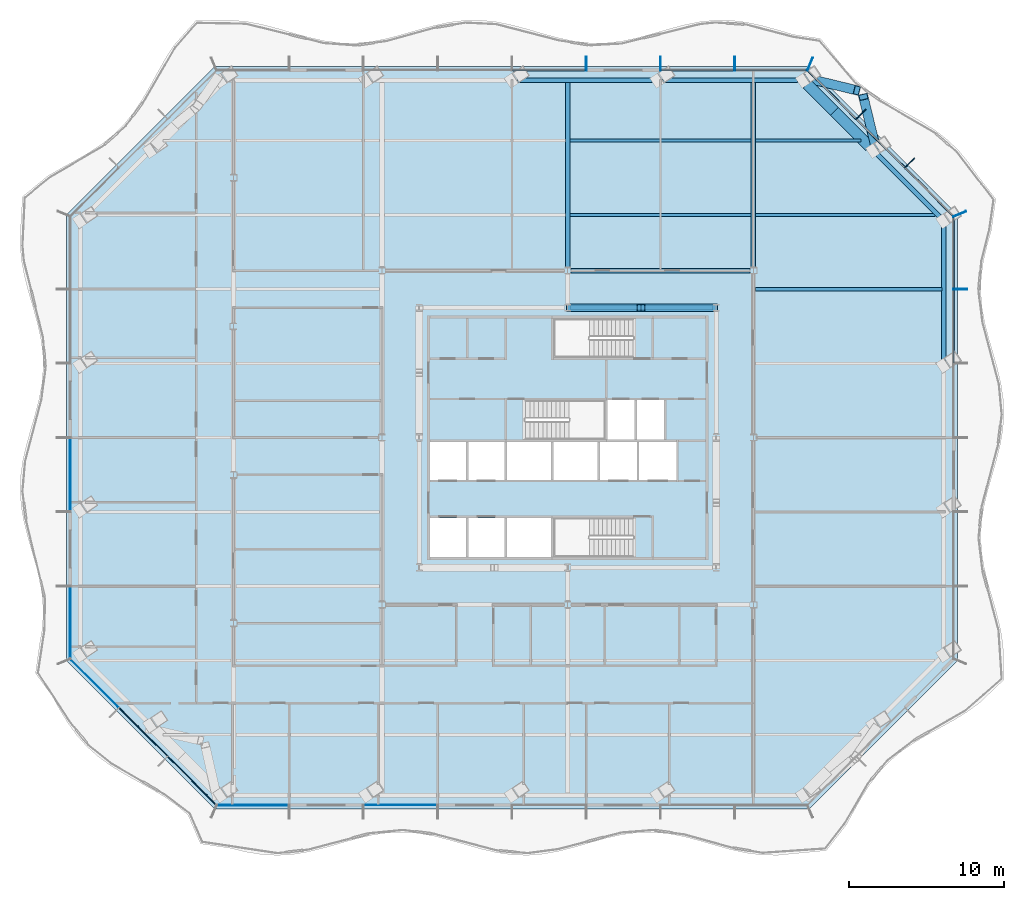
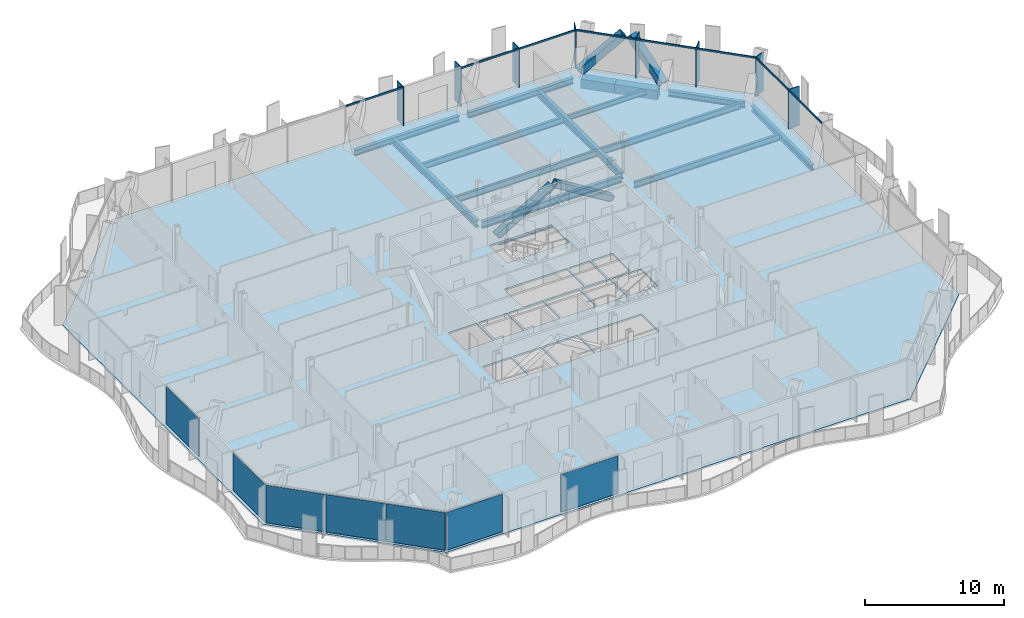
# One storey, part 4 of 20: 20 members, 15 beams, 7 plates, 1 slab, 6 elements without a shape of their own.
"""IFC4 building model written with IfcOpenShell, lengths in metres."""

from ifc_helpers import new_model, si_unit, direction, frame, origin, origin_2d, place, context, subcontext, project, spatial, polyline, rectangle, hollow_rectangle, i_section, outline, extrude, material, layer, layer_set, material_profile, profile_set, type_object, element, aggregate, save


model = new_model("IFC4")

# Units and contexts
model_context = context("Model", 3, precision=1e-05, world=origin(), true_north=direction((0.0, 1.0)))
body_context = subcontext(model_context, "Body", "Model", "MODEL_VIEW")
ifc_project = project(units=[si_unit("LENGTHUNIT", "METRE"), si_unit("AREAUNIT", "SQUARE_METRE"), si_unit("VOLUMEUNIT", "CUBIC_METRE"), si_unit("PLANEANGLEUNIT", "RADIAN"), si_unit("MASSUNIT", "GRAM", prefix="KILO")], contexts=[model_context])

# Site, building, storey
site_placement = place(None, origin())
site = spatial("IfcSite", under=ifc_project, at=site_placement, CompositionType="ELEMENT")
building_placement = place(site_placement, origin())
building = spatial("IfcBuilding", under=site, at=building_placement, Name="Cairn Pilgrim Tower", CompositionType="ELEMENT")
storey_placement = place(building_placement, frame((0.0, 0.0, 101.39990234375)))
storey = spatial("IfcBuildingStorey", under=building, at=storey_placement, Name="L24", CompositionType="ELEMENT", Elevation=101.39990234375)

# Members
ifc_material_1 = material(Name="Structural steel S460M", Category="steel")
ifc_material_profile_1 = material_profile(ifc_material_1, hollow_rectangle(XDim=0.5, YDim=0.5, WallThickness=0.030029296875, at=origin_2d()), Name="BOX 500x500x30")
ifc_profile_set_1 = profile_set([ifc_material_profile_1], Name="Structural steel S460M")
member_type_1 = type_object("IfcMemberType", Name="BOX 500x500x30 BRACE", PredefinedType="BRACE", material=ifc_profile_set_1)
member_1_placement = place(storey_placement, frame((16.75634765625, 10.800048828125, 0.10009765625), z_axis=(-0.851002408489, 0.0, 0.525161785305), x_axis=(0.0, -1.0, 0.0)))
element("IfcMember", 1, at=member_1_placement, inside=storey, type_object=member_type_1, Name="KB-3A", PredefinedType="BRACE", context=body_context, shape_type="SweptSolid", body=[
    extrude(hollow_rectangle(XDim=0.5, YDim=0.5, WallThickness=0.030029296875, at=origin_2d()), origin(), (0.0, 0.0, 1.0), 5.526611328125),
])
member_2_placement = place(storey_placement, frame((7.24365234375, 10.800048828125, 0.10009765625), z_axis=(0.851007515624, 0.0, 0.525153509321), x_axis=(0.0, 1.0, 0.0)))
element("IfcMember", 2, at=member_2_placement, inside=storey, type_object=member_type_1, Name="KB-3B", PredefinedType="BRACE", context=body_context, shape_type="SweptSolid", body=[
    extrude(hollow_rectangle(XDim=0.5, YDim=0.5, WallThickness=0.030029296875, at=origin_2d()), origin(), (0.0, 0.0, 1.0), 5.37646484375),
])
ifc_material_profile_2 = material_profile(ifc_material_1, hollow_rectangle(XDim=0.60009765625, YDim=0.60009765625, WallThickness=0.034912109375, at=origin_2d()), Name="BOX 600x600x35")
ifc_profile_set_2 = profile_set([ifc_material_profile_2], Name="Structural steel S460M")
member_type_2 = type_object("IfcMemberType", Name="BOX 600x600x35 BRACE", PredefinedType="BRACE", material=ifc_profile_set_2)
for number, where, z_axis, x_axis, name in (
    (3, (27.094482421875, 21.20751953125, 0.150146484375), (-0.185678533786, 0.765655336533, 0.6158696191), (-0.971831177419, -0.235678091042, 0.0), "XB-NE2-N1-1"),
    (4, (22.671142578125, 25.630859375, 0.150146484375), (0.765655336533, -0.185678533786, 0.6158696191), (0.235678091042, 0.971831177419, 0.0), "XB-NE2-N1-2"),
):
    element("IfcMember", number, at=place(storey_placement, frame(where, z_axis=z_axis, x_axis=x_axis)), inside=storey, type_object=member_type_2, Name=name, PredefinedType="BRACE", context=body_context, shape_type="SweptSolid", body=[
        extrude(hollow_rectangle(XDim=0.60009765625, YDim=0.60009765625, WallThickness=0.034912109375, at=origin_2d()), origin(), (0.0, 0.0, 1.0), 4.20361328125),
    ])

# Beams
ifc_material_2 = material(Name="Structural steel S355J2", Category="steel")
ifc_material_profile_3 = material_profile(ifc_material_2, hollow_rectangle(XDim=0.699951171875, YDim=0.800048828125, WallThickness=0.0400390625, at=origin_2d()), Name="BOX 700x800x40")
ifc_profile_set_3 = profile_set([ifc_material_profile_3], Name="Structural steel S355J2")
beam_type_1 = type_object("IfcBeamType", Name="BOX 700x800x40 RING GIRDER", PredefinedType="SPANDREL", material=ifc_profile_set_3)
beam_1_placement = place(storey_placement, frame((26.708984375, 21.21826171875, -0.5498046875), z_axis=(-0.707106781187, 0.707106781187, 0.0), x_axis=(-0.707106781187, -0.707106781187, 0.0)))
element("IfcBeam", 5, at=beam_1_placement, inside=storey, type_object=beam_type_1, Name="RG1-NE2-N1-1", PredefinedType="SPANDREL", context=body_context, shape_type="SweptSolid", body=[
    extrude(hollow_rectangle(XDim=0.699951171875, YDim=0.800048828125, WallThickness=0.0400390625, at=origin_2d()), origin(), (0.0, 0.0, 1.0), 3.2041015625),
])
beam_2_placement = place(storey_placement, frame((24.443359375, 23.48388671875, -0.5498046875), z_axis=(-0.707106781187, 0.707106781187, 0.0), x_axis=(-0.707106781187, -0.707106781187, 0.0)))
element("IfcBeam", 6, at=beam_2_placement, inside=storey, type_object=beam_type_1, Name="RG1-NE2-N1-2", PredefinedType="SPANDREL", context=body_context, shape_type="SweptSolid", body=[
    extrude(hollow_rectangle(XDim=0.699951171875, YDim=0.800048828125, WallThickness=0.0400390625, at=origin_2d()), origin(), (0.0, 0.0, 1.0), 2.4912109375),
])

# Curtain wall, member
ifc_material_3 = material(Name="Aluminium alloy 6063-T6 bronze anodised with Bronze tinted laminated low-E glass 8+16+8.8", Category="aluminium")
curtain_wall_type_1 = type_object("IfcCurtainWallType", Name="TOWER STICK CURTAIN WALL EW", PredefinedType="NOTDEFINED", material=ifc_material_3)
curtain_wall_1_placement = place(storey_placement, origin())
curtain_wall_1 = element("IfcCurtainWall", 7, at=curtain_wall_1_placement, inside=storey, type_object=curtain_wall_type_1, Name="Tower Stick Curtain Wall Ew E", PredefinedType="NOTDEFINED")
ifc_material_4 = material(Name="Aluminium alloy 6063-T6 bronze anodised", Category="aluminium")
ifc_material_profile_4 = material_profile(ifc_material_4, rectangle(XDim=0.89990234375, YDim=0.06005859375, at=origin_2d()), Name="FIN MULLION 60x900 BRONZE")
ifc_profile_set_4 = profile_set([ifc_material_profile_4], Name="Aluminium alloy 6063-T6 bronze anodised")
member_type_3 = type_object("IfcMemberType", Name="FIN MULLION 60x900 BRONZE", PredefinedType="MULLION", material=ifc_profile_set_4)
member_3_placement = place(storey_placement, frame((32.570068359375, 12.0, 0.0), z_axis=(0.0, 0.0, 1.0), x_axis=(1.0, 0.0, 0.0)))
member_3 = element("IfcMember", 8, at=member_3_placement, type_object=member_type_3, Name="Fin mullion E6", PredefinedType="MULLION", context=body_context, shape_type="SweptSolid", body=[
    extrude(rectangle(XDim=0.89990234375, YDim=0.06005859375, at=origin_2d()), origin(), (0.0, 0.0, 1.0), 3.4501953125),
])

# Curtain wall, members
curtain_wall_type_2 = type_object("IfcCurtainWallType", Name="CHAMFER CORNER CURTAIN WALL", PredefinedType="NOTDEFINED", material=ifc_material_3)
curtain_wall_2_placement = place(storey_placement, origin())
curtain_wall_2 = element("IfcCurtainWall", 9, at=curtain_wall_2_placement, inside=storey, type_object=curtain_wall_type_2, Name="Chamfer Corner Curtain Wall NE", PredefinedType="NOTDEFINED")
member_4_placement = place(storey_placement, frame((32.5380859375, 16.857177734375, 0.0), z_axis=(0.0, 0.0, 1.0), x_axis=(0.923879532511, 0.382683432365, 0.0)))
member_4 = element("IfcMember", 10, at=member_4_placement, type_object=member_type_3, Name="Fin mullion NE1", PredefinedType="MULLION", context=body_context, shape_type="SweptSolid", body=[
    extrude(rectangle(XDim=0.89990234375, YDim=0.06005859375, at=origin_2d()), origin(), (0.0, 0.0, 1.0), 3.4501953125),
])
member_5_placement = place(storey_placement, frame((29.2958984375, 20.14453125, 0.0), z_axis=(0.0, 0.0, 1.0), x_axis=(0.707106781187, 0.707106781187, 0.0)))
member_5 = element("IfcMember", 11, at=member_5_placement, type_object=member_type_3, Name="Fin mullion NE2", PredefinedType="MULLION", context=body_context, shape_type="SweptSolid", body=[
    extrude(rectangle(XDim=0.89990234375, YDim=0.06005859375, at=origin_2d()), origin(), (0.0, 0.0, 1.0), 3.4501953125),
])
member_6_placement = place(storey_placement, frame((26.14453125, 23.2958984375, 0.0), z_axis=(0.0, 0.0, 1.0), x_axis=(0.707106781187, 0.707106781187, 0.0)))
member_6 = element("IfcMember", 12, at=member_6_placement, type_object=member_type_3, Name="Fin mullion NE3", PredefinedType="MULLION", context=body_context, shape_type="SweptSolid", body=[
    extrude(rectangle(XDim=0.89990234375, YDim=0.06005859375, at=origin_2d()), origin(), (0.0, 0.0, 1.0), 3.4501953125),
])

curtain_wall_type_3 = type_object("IfcCurtainWallType", Name="TOWER STICK CURTAIN WALL NS", PredefinedType="NOTDEFINED", material=ifc_material_3)
curtain_wall_3_placement = place(storey_placement, origin())
curtain_wall_3 = element("IfcCurtainWall", 13, at=curtain_wall_3_placement, inside=storey, type_object=curtain_wall_type_3, Name="Tower Stick Curtain Wall Ns N", PredefinedType="NOTDEFINED")
member_7_placement = place(storey_placement, frame((22.857177734375, 26.5380859375, 0.0), z_axis=(0.0, 0.0, 1.0), x_axis=(0.382683432365, 0.923879532511, 0.0)))
member_7 = element("IfcMember", 14, at=member_7_placement, type_object=member_type_3, Name="Fin mullion N1", PredefinedType="MULLION", context=body_context, shape_type="SweptSolid", body=[
    extrude(rectangle(XDim=0.89990234375, YDim=0.06005859375, at=origin_2d()), origin(), (0.0, 0.0, 1.0), 3.4501953125),
])
member_8_placement = place(storey_placement, frame((18.0, 26.570068359375, 0.0), z_axis=(0.0, 0.0, 1.0), x_axis=(0.0, 1.0, 0.0)))
member_8 = element("IfcMember", 15, at=member_8_placement, type_object=member_type_3, Name="Fin mullion N2", PredefinedType="MULLION", context=body_context, shape_type="SweptSolid", body=[
    extrude(rectangle(XDim=0.89990234375, YDim=0.06005859375, at=origin_2d()), origin(), (0.0, 0.0, 1.0), 3.4501953125),
])
member_9_placement = place(storey_placement, frame((13.199951171875, 26.570068359375, 0.0), z_axis=(0.0, 0.0, 1.0), x_axis=(0.0, 1.0, 0.0)))
member_9 = element("IfcMember", 16, at=member_9_placement, type_object=member_type_3, Name="Fin mullion N3", PredefinedType="MULLION", context=body_context, shape_type="SweptSolid", body=[
    extrude(rectangle(XDim=0.89990234375, YDim=0.06005859375, at=origin_2d()), origin(), (0.0, 0.0, 1.0), 3.4501953125),
])
member_10_placement = place(storey_placement, frame((8.39990234375, 26.570068359375, 0.0), z_axis=(0.0, 0.0, 1.0), x_axis=(0.0, 1.0, 0.0)))
member_10 = element("IfcMember", 17, at=member_10_placement, type_object=member_type_3, Name="Fin mullion N4", PredefinedType="MULLION", context=body_context, shape_type="SweptSolid", body=[
    extrude(rectangle(XDim=0.89990234375, YDim=0.06005859375, at=origin_2d()), origin(), (0.0, 0.0, 1.0), 3.4501953125),
])

# Beams
ifc_material_profile_5 = material_profile(ifc_material_2, i_section(OverallWidth=0.300048828125, OverallDepth=0.5, WebThickness=0.014404296875, FlangeThickness=0.028076171875, FilletRadius=0.027099609375, at=origin_2d()), Name="HEB 500")
ifc_profile_set_5 = profile_set([ifc_material_profile_5], Name="Structural steel S355J2")
beam_type_2 = type_object("IfcBeamType", Name="HEB 500 RING GIRDER", PredefinedType="SPANDREL", material=ifc_profile_set_5)
beam_3_placement = place(storey_placement, frame((31.5, 7.435791015625, -0.39990234375), z_axis=(0.0, 1.0, 0.0), x_axis=(-1.0, 0.0, 0.0)))
element("IfcBeam", 18, at=beam_3_placement, inside=storey, type_object=beam_type_2, Name="RG1-E3-NE1", PredefinedType="SPANDREL", context=body_context, shape_type="SweptSolid", body=[
    extrude(i_section(OverallWidth=0.300048828125, OverallDepth=0.5, WebThickness=0.014404296875, FlangeThickness=0.028076171875, FilletRadius=0.027099609375, at=origin_2d()), origin(), (0.0, 0.0, 1.0), 8.63134765625),
])
beam_4_placement = place(storey_placement, frame((31.245361328125, 16.681884765625, -0.39990234375), z_axis=(-0.707106781187, 0.707106781187, 0.0), x_axis=(-0.707106781187, -0.707106781187, 0.0)))
element("IfcBeam", 19, at=beam_4_placement, inside=storey, type_object=beam_type_2, Name="RG1-NE1-NE2", PredefinedType="SPANDREL", context=body_context, shape_type="SweptSolid", body=[
    extrude(i_section(OverallWidth=0.300048828125, OverallDepth=0.5, WebThickness=0.014404296875, FlangeThickness=0.028076171875, FilletRadius=0.027099609375, at=origin_2d()), origin(), (0.0, 0.0, 1.0), 5.695068359375),
])
for number, where, z_axis, x_axis, name in (
    (20, (22.067138671875, 25.5, -0.39990234375), (-1.0, 0.0, 0.0), (0.0, -1.0, 0.0), "RG1-N1-N2"),
    (21, (12.653564453125, 25.5, -0.39990234375), (-1.0, 0.0, 0.0), (0.0, -1.0, 0.0), "RG1-N2-N3"),
):
    element("IfcBeam", number, at=place(storey_placement, frame(where, z_axis=z_axis, x_axis=x_axis)), inside=storey, type_object=beam_type_2, Name=name, PredefinedType="SPANDREL", context=body_context, shape_type="SweptSolid", body=[
        extrude(i_section(OverallWidth=0.300048828125, OverallDepth=0.5, WebThickness=0.014404296875, FlangeThickness=0.028076171875, FilletRadius=0.027099609375, at=origin_2d()), origin(), (0.0, 0.0, 1.0), 8.693603515625),
    ])
ifc_material_profile_6 = material_profile(ifc_material_2, i_section(OverallWidth=0.300048828125, OverallDepth=0.60009765625, WebThickness=0.015380859375, FlangeThickness=0.030029296875, FilletRadius=0.027099609375, at=origin_2d()), Name="HEB 600")
ifc_profile_set_6 = profile_set([ifc_material_profile_6], Name="Structural steel S355J2")
beam_type_3 = type_object("IfcBeamType", Name="HEB 600 CORE BEAM", PredefinedType="BEAM", material=ifc_profile_set_6)
beam_5_placement = place(storey_placement, frame((16.603271484375, 10.800048828125, -0.449951171875), z_axis=(-1.0, 0.0, 0.0), x_axis=(0.0, -1.0, 0.0)))
element("IfcBeam", 22, at=beam_5_placement, inside=storey, type_object=beam_type_3, Name="CB-5", PredefinedType="BEAM", context=body_context, shape_type="SweptSolid", body=[
    extrude(i_section(OverallWidth=0.300048828125, OverallDepth=0.60009765625, WebThickness=0.015380859375, FlangeThickness=0.030029296875, FilletRadius=0.027099609375, at=origin_2d()), origin(), (0.0, 0.0, 1.0), 9.20654296875),
])
ifc_material_profile_7 = material_profile(ifc_material_2, i_section(OverallWidth=0.300048828125, OverallDepth=0.60009765625, WebThickness=0.015380859375, FlangeThickness=0.030029296875, FilletRadius=0.027099609375, at=origin_2d()), Name="HEB 600")
ifc_profile_set_7 = profile_set([ifc_material_profile_7], Name="Structural steel S355J2")
beam_type_4 = type_object("IfcBeamType", Name="HEB 600 GIRDER", PredefinedType="BEAM", material=ifc_profile_set_7)
for number, where, z_axis, x_axis, name in (
    (23, (7.199951171875, 13.404541015625, -0.449951171875), (0.0, 1.0, 0.0), (-1.0, 0.0, 0.0), "PG3-2"),
    (24, (19.199951171875, 13.404541015625, -0.449951171875), (0.0, 1.0, 0.0), (-1.0, 0.0, 0.0), "PG4-4"),
):
    element("IfcBeam", number, at=place(storey_placement, frame(where, z_axis=z_axis, x_axis=x_axis)), inside=storey, type_object=beam_type_4, Name=name, PredefinedType="BEAM", context=body_context, shape_type="SweptSolid", body=[
        extrude(i_section(OverallWidth=0.300048828125, OverallDepth=0.60009765625, WebThickness=0.015380859375, FlangeThickness=0.030029296875, FilletRadius=0.027099609375, at=origin_2d()), origin(), (0.0, 0.0, 1.0), 11.975341796875),
    ])
ifc_material_profile_8 = material_profile(ifc_material_2, i_section(OverallWidth=0.300048828125, OverallDepth=0.60009765625, WebThickness=0.015380859375, FlangeThickness=0.030029296875, FilletRadius=0.027099609375, at=origin_2d()), Name="HEB 600")
ifc_profile_set_8 = profile_set([ifc_material_profile_8], Name="Structural steel S355J2")
beam_type_5 = type_object("IfcBeamType", Name="HEB 600 INNER GIRDER", PredefinedType="BEAM", material=ifc_profile_set_8)
beam_6_placement = place(storey_placement, frame((7.404541015625, 13.199951171875, -0.449951171875), z_axis=(1.0, 0.0, 0.0), x_axis=(0.0, 1.0, 0.0)))
element("IfcBeam", 25, at=beam_6_placement, inside=storey, type_object=beam_type_5, Name="IG2-2", PredefinedType="BEAM", context=body_context, shape_type="SweptSolid", body=[
    extrude(i_section(OverallWidth=0.300048828125, OverallDepth=0.60009765625, WebThickness=0.015380859375, FlangeThickness=0.030029296875, FilletRadius=0.027099609375, at=origin_2d()), origin(), (0.0, 0.0, 1.0), 11.591064453125),
])
ifc_material_profile_9 = material_profile(ifc_material_2, i_section(OverallWidth=0.18994140625, OverallDepth=0.449951171875, WebThickness=0.009521484375, FlangeThickness=0.0146484375, FilletRadius=0.02099609375, at=origin_2d()), Name="IPE 450")
ifc_profile_set_9 = profile_set([ifc_material_profile_9], Name="Structural steel S355J2")
beam_type_6 = type_object("IfcBeamType", Name="IPE 450 SECONDARY BEAM", PredefinedType="JOIST", material=ifc_profile_set_9)
beam_7_placement = place(storey_placement, frame((19.35009765625, 21.60009765625, -0.375), z_axis=(1.0, 0.0, 0.0), x_axis=(0.0, 1.0, 0.0)))
element("IfcBeam", 26, at=beam_7_placement, inside=storey, type_object=beam_type_6, Name="SB9-5", PredefinedType="JOIST", context=body_context, shape_type="SweptSolid", body=[
    extrude(i_section(OverallWidth=0.18994140625, OverallDepth=0.449951171875, WebThickness=0.009521484375, FlangeThickness=0.0146484375, FilletRadius=0.02099609375, at=origin_2d()), origin(), (0.0, 0.0, 1.0), 6.794921875),
])
ifc_material_profile_10 = material_profile(ifc_material_2, i_section(OverallWidth=0.2099609375, OverallDepth=0.550048828125, WebThickness=0.010986328125, FlangeThickness=0.01708984375, FilletRadius=0.02392578125, at=origin_2d()), Name="IPE 550")
ifc_profile_set_10 = profile_set([ifc_material_profile_10], Name="Structural steel S355J2")
beam_type_7 = type_object("IfcBeamType", Name="IPE 550 SECONDARY BEAM", PredefinedType="JOIST", material=ifc_profile_set_10)
beam_8_placement = place(storey_placement, frame((19.35009765625, 12.0, -0.4248046875), z_axis=(1.0, 0.0, 0.0), x_axis=(0.0, 1.0, 0.0)))
element("IfcBeam", 27, at=beam_8_placement, inside=storey, type_object=beam_type_7, Name="SB7-3", PredefinedType="JOIST", context=body_context, shape_type="SweptSolid", body=[
    extrude(i_section(OverallWidth=0.2099609375, OverallDepth=0.550048828125, WebThickness=0.010986328125, FlangeThickness=0.01708984375, FilletRadius=0.02392578125, at=origin_2d()), origin(), (0.0, 0.0, 1.0), 12.02978515625),
])
beam_9_placement = place(storey_placement, frame((7.35009765625, 16.800048828125, -0.4248046875), z_axis=(1.0, 0.0, 0.0), x_axis=(0.0, 1.0, 0.0)))
element("IfcBeam", 28, at=beam_9_placement, inside=storey, type_object=beam_type_7, Name="SB8-4", PredefinedType="JOIST", context=body_context, shape_type="SweptSolid", body=[
    extrude(i_section(OverallWidth=0.2099609375, OverallDepth=0.550048828125, WebThickness=0.010986328125, FlangeThickness=0.01708984375, FilletRadius=0.02392578125, at=origin_2d()), origin(), (0.0, 0.0, 1.0), 11.699951171875),
])
beam_10_placement = place(storey_placement, frame((19.35009765625, 16.800048828125, -0.4248046875), z_axis=(1.0, 0.0, 0.0), x_axis=(0.0, 1.0, 0.0)))
element("IfcBeam", 29, at=beam_10_placement, inside=storey, type_object=beam_type_7, Name="SB8-5", PredefinedType="JOIST", context=body_context, shape_type="SweptSolid", body=[
    extrude(i_section(OverallWidth=0.2099609375, OverallDepth=0.550048828125, WebThickness=0.010986328125, FlangeThickness=0.01708984375, FilletRadius=0.02392578125, at=origin_2d()), origin(), (0.0, 0.0, 1.0), 11.594970703125),
])
beam_11_placement = place(storey_placement, frame((7.35009765625, 21.60009765625, -0.4248046875), z_axis=(1.0, 0.0, 0.0), x_axis=(0.0, 1.0, 0.0)))
element("IfcBeam", 30, at=beam_11_placement, inside=storey, type_object=beam_type_7, Name="SB9-4", PredefinedType="JOIST", context=body_context, shape_type="SweptSolid", body=[
    extrude(i_section(OverallWidth=0.2099609375, OverallDepth=0.550048828125, WebThickness=0.010986328125, FlangeThickness=0.01708984375, FilletRadius=0.02392578125, at=origin_2d()), origin(), (0.0, 0.0, 1.0), 11.699951171875),
])

# Member
ifc_material_profile_11 = material_profile(ifc_material_4, rectangle(XDim=0.080078125, YDim=0.14990234375, at=origin_2d()), Name="TRANSOM 80x150 BRONZE")
ifc_profile_set_11 = profile_set([ifc_material_profile_11], Name="Aluminium alloy 6063-T6 bronze anodised")
member_type_4 = type_object("IfcMemberType", Name="TRANSOM 80x150 BRONZE", PredefinedType="USERDEFINED", material=ifc_profile_set_11)
member_11_placement = place(storey_placement, frame((32.14990234375, 7.22998046875, 3.375), z_axis=(0.0, 1.0, 0.0), x_axis=(-1.0, 0.0, 0.0)))
member_11 = element("IfcMember", 31, at=member_11_placement, type_object=member_type_4, Name="Transom E5", ObjectType="TRANSOM", PredefinedType="USERDEFINED", context=body_context, shape_type="SweptSolid", body=[
    extrude(rectangle(XDim=0.080078125, YDim=0.14990234375, at=origin_2d()), origin(), (0.0, 0.0, 1.0), 4.739990234375),
])

member_12_placement = place(storey_placement, frame((32.14990234375, 12.030029296875, 3.375), z_axis=(0.0, 1.0, 0.0), x_axis=(-1.0, 0.0, 0.0)))
member_12 = element("IfcMember", 32, at=member_12_placement, type_object=member_type_4, Name="Transom E6", ObjectType="TRANSOM", PredefinedType="USERDEFINED", context=body_context, shape_type="SweptSolid", body=[
    extrude(rectangle(XDim=0.080078125, YDim=0.14990234375, at=origin_2d()), origin(), (0.0, 0.0, 1.0), 4.62646484375),
])

aggregate(curtain_wall_1, [member_3, member_11, member_12])

member_13_placement = place(storey_placement, frame((32.121826171875, 16.724609375, 3.375), z_axis=(-0.707106781187, 0.707106781187, 0.0), x_axis=(-0.707106781187, -0.707106781187, 0.0)))
member_13 = element("IfcMember", 33, at=member_13_placement, type_object=member_type_4, Name="Transom NE1", ObjectType="TRANSOM", PredefinedType="USERDEFINED", context=body_context, shape_type="SweptSolid", body=[
    extrude(rectangle(XDim=0.080078125, YDim=0.14990234375, at=origin_2d()), origin(), (0.0, 0.0, 1.0), 4.38671875),
])

member_14_placement = place(storey_placement, frame((28.9775390625, 19.868896484375, 3.375), z_axis=(-0.707106781187, 0.707106781187, 0.0), x_axis=(-0.707106781187, -0.707106781187, 0.0)))
member_14 = element("IfcMember", 34, at=member_14_placement, type_object=member_type_4, Name="Transom NE2", ObjectType="TRANSOM", PredefinedType="USERDEFINED", context=body_context, shape_type="SweptSolid", body=[
    extrude(rectangle(XDim=0.080078125, YDim=0.14990234375, at=origin_2d()), origin(), (0.0, 0.0, 1.0), 4.396240234375),
])

member_15_placement = place(storey_placement, frame((25.826416015625, 23.02001953125, 3.375), z_axis=(-0.707106781187, 0.707106781187, 0.0), x_axis=(-0.707106781187, -0.707106781187, 0.0)))
member_15 = element("IfcMember", 35, at=member_15_placement, type_object=member_type_4, Name="Transom NE3", ObjectType="TRANSOM", PredefinedType="USERDEFINED", context=body_context, shape_type="SweptSolid", body=[
    extrude(rectangle(XDim=0.080078125, YDim=0.14990234375, at=origin_2d()), origin(), (0.0, 0.0, 1.0), 4.38671875),
])

aggregate(curtain_wall_2, [member_4, member_5, member_6, member_13, member_14, member_15])

member_16_placement = place(storey_placement, frame((22.656494140625, 26.14990234375, 3.375), z_axis=(-1.0, 0.0, 0.0), x_axis=(0.0, -1.0, 0.0)))
member_16 = element("IfcMember", 36, at=member_16_placement, type_object=member_type_4, Name="Transom N1", ObjectType="TRANSOM", PredefinedType="USERDEFINED", context=body_context, shape_type="SweptSolid", body=[
    extrude(rectangle(XDim=0.080078125, YDim=0.14990234375, at=origin_2d()), origin(), (0.0, 0.0, 1.0), 4.62646484375),
])

member_17_placement = place(storey_placement, frame((17.969970703125, 26.14990234375, 3.375), z_axis=(-1.0, 0.0, 0.0), x_axis=(0.0, -1.0, 0.0)))
member_17 = element("IfcMember", 37, at=member_17_placement, type_object=member_type_4, Name="Transom N2", ObjectType="TRANSOM", PredefinedType="USERDEFINED", context=body_context, shape_type="SweptSolid", body=[
    extrude(rectangle(XDim=0.080078125, YDim=0.14990234375, at=origin_2d()), origin(), (0.0, 0.0, 1.0), 4.739990234375),
])

member_18_placement = place(storey_placement, frame((8.3701171875, 26.14990234375, 3.375), z_axis=(-1.0, 0.0, 0.0), x_axis=(0.0, -1.0, 0.0)))
member_18 = element("IfcMember", 38, at=member_18_placement, type_object=member_type_4, Name="Transom N4", ObjectType="TRANSOM", PredefinedType="USERDEFINED", context=body_context, shape_type="SweptSolid", body=[
    extrude(rectangle(XDim=0.080078125, YDim=0.14990234375, at=origin_2d()), origin(), (0.0, 0.0, 1.0), 4.740234375),
])

aggregate(curtain_wall_3, [member_7, member_8, member_9, member_10, member_16, member_17, member_18])

# Slab
ifc_material_5 = material(Name="Concrete C35/45", Category="concrete")
ifc_layer_1 = layer(ifc_material_5, 0.14990234375)
ifc_layer_set_1 = layer_set([ifc_layer_1], Name="COMPOSITE FLOOR SLAB 150")
slab_type = type_object("IfcSlabType", Name="COMPOSITE FLOOR SLAB 150", PredefinedType="FLOOR", material=ifc_layer_set_1)
slab_placement = place(storey_placement, frame((0.0, 0.0, -0.14990234375)))
element("IfcSlab", 39, at=slab_placement, inside=storey, type_object=slab_type, Name="FLOOR SLAB L24", PredefinedType="FLOOR", context=body_context, shape_type="SweptSolid", body=[
    extrude(outline(polyline([(-15.60009765625, -21.60009765625), (22.800048828125, -21.60009765625), (32.39990234375, -12.0), (32.39990234375, 16.800048828125), (22.800048828125, 26.39990234375), (-15.60009765625, 26.39990234375), (-25.199951171875, 16.800048828125), (-25.199951171875, -12.0), (-15.60009765625, -21.60009765625)]), holes=[polyline([(-1.72509765625, -5.300048828125), (0.625, -5.300048828125), (0.625, -2.77490234375), (-1.72509765625, -2.77490234375), (-1.72509765625, -5.300048828125)]), polyline([(0.77490234375, -5.300048828125), (3.125, -5.300048828125), (3.125, -2.77490234375), (0.77490234375, -2.77490234375), (0.77490234375, -5.300048828125)]), polyline([(-1.72509765625, -0.324951171875), (0.625, -0.324951171875), (0.625, 2.125), (-1.72509765625, 2.125), (-1.72509765625, -0.324951171875)]), polyline([(0.77490234375, -0.324951171875), (3.125, -0.324951171875), (3.125, 2.125), (0.77490234375, 2.125), (0.77490234375, -0.324951171875)]), polyline([(3.27490234375, -5.300048828125), (6.125, -5.300048828125), (6.125, -2.77490234375), (3.27490234375, -2.77490234375), (3.27490234375, -5.300048828125)]), polyline([(3.27490234375, -0.324951171875), (6.125, -0.324951171875), (6.125, 2.125), (3.27490234375, 2.125), (3.27490234375, -0.324951171875)]), polyline([(6.27490234375, -0.324951171875), (9.125, -0.324951171875), (9.125, 2.125), (6.27490234375, 2.125), (6.27490234375, -0.324951171875)]), polyline([(9.27490234375, -0.324951171875), (11.675048828125, -0.324951171875), (11.675048828125, 2.125), (9.27490234375, 2.125), (9.27490234375, -0.324951171875)]), polyline([(11.824951171875, -0.324951171875), (14.22509765625, -0.324951171875), (14.22509765625, 2.125), (11.824951171875, 2.125), (11.824951171875, -0.324951171875)]), polyline([(9.77490234375, 2.27490234375), (11.52490234375, 2.27490234375), (11.52490234375, 4.824951171875), (9.77490234375, 4.824951171875), (9.77490234375, 2.27490234375)]), polyline([(11.675048828125, 2.27490234375), (13.425048828125, 2.27490234375), (13.425048828125, 4.824951171875), (11.675048828125, 4.824951171875), (11.675048828125, 2.27490234375)]), polyline([(11.424560546875, -2.77490234375), (6.27490234375, -2.77490234375), (6.27490234375, -5.300048828125), (11.424560546875, -5.300048828125), (11.424560546875, -2.77490234375)]), polyline([(4.4755859375, 2.27490234375), (9.625, 2.27490234375), (9.625, 4.824951171875), (4.4755859375, 4.824951171875), (4.4755859375, 2.27490234375)]), polyline([(11.424560546875, 10.10009765625), (6.27490234375, 10.10009765625), (6.27490234375, 7.574951171875), (11.424560546875, 7.574951171875), (11.424560546875, 10.10009765625)])]), origin(), (0.0, 0.0, 1.0), 0.14990234375),
])

# Curtain wall, plates
curtain_wall_4_placement = place(storey_placement, origin())
curtain_wall_4 = element("IfcCurtainWall", 40, at=curtain_wall_4_placement, inside=storey, type_object=curtain_wall_type_2, Name="Chamfer Corner Curtain Wall SW", PredefinedType="NOTDEFINED")
ifc_material_6 = material(Name="Bronze anodised aluminium spandrel panel with mineral wool insulation", Category="aluminium")
ifc_layer_2 = layer(ifc_material_6, 0.06005859375)
ifc_layer_set_2 = layer_set([ifc_layer_2], Name="SPANDREL PANEL 4386x3300")
plate_type_1 = type_object("IfcPlateType", Name="SPANDREL PANEL 4386x3300", PredefinedType="CURTAIN_PANEL", material=ifc_layer_set_2)
plate_1_placement = place(storey_placement, frame((-17.07568359375, -19.770751953125, 0.0), z_axis=(0.0, 0.0, 1.0), x_axis=(0.707106781187, -0.707106781187, 0.0)))
plate_1 = element("IfcPlate", 41, at=plate_1_placement, type_object=plate_type_1, Name="Spandrel Panel SW3-1", PredefinedType="CURTAIN_PANEL", context=body_context, shape_type="SweptSolid", body=[
    extrude(rectangle(XDim=4.386474609375, YDim=0.06005859375, at=origin_2d()), origin(), (0.0, 0.0, 1.0), 3.300048828125),
])
ifc_layer_3 = layer(ifc_material_6, 0.06005859375)
ifc_layer_set_3 = layer_set([ifc_layer_3], Name="SPANDREL PANEL 4396x3300")
plate_type_2 = type_object("IfcPlateType", Name="SPANDREL PANEL 4396x3300", PredefinedType="CURTAIN_PANEL", material=ifc_layer_set_3)
plate_2_placement = place(storey_placement, frame((-20.22314453125, -16.623291015625, 0.0), z_axis=(0.0, 0.0, 1.0), x_axis=(0.707106781187, -0.707106781187, 0.0)))
plate_2 = element("IfcPlate", 42, at=plate_2_placement, type_object=plate_type_2, Name="Spandrel Panel SW2-1", PredefinedType="CURTAIN_PANEL", context=body_context, shape_type="SweptSolid", body=[
    extrude(rectangle(XDim=4.396484375, YDim=0.06005859375, at=origin_2d()), origin(), (0.0, 0.0, 1.0), 3.300048828125),
])

# Curtain wall, plate
curtain_wall_5_placement = place(storey_placement, origin())
curtain_wall_5 = element("IfcCurtainWall", 43, at=curtain_wall_5_placement, inside=storey, type_object=curtain_wall_type_3, Name="Tower Stick Curtain Wall Ns S", PredefinedType="NOTDEFINED")
ifc_layer_4 = layer(ifc_material_6, 0.06005859375)
ifc_layer_set_4 = layer_set([ifc_layer_4], Name="SPANDREL PANEL 4626x3300")
plate_type_3 = type_object("IfcPlateType", Name="SPANDREL PANEL 4626x3300", PredefinedType="CURTAIN_PANEL", material=ifc_layer_set_4)
plate_3_placement = place(storey_placement, frame((-13.143310546875, -21.35009765625, 0.0), z_axis=(0.0, 0.0, 1.0), x_axis=(1.0, 0.0, 0.0)))
plate_3 = element("IfcPlate", 44, at=plate_3_placement, type_object=plate_type_3, Name="Spandrel Panel S1-1", PredefinedType="CURTAIN_PANEL", context=body_context, shape_type="SweptSolid", body=[
    extrude(rectangle(XDim=4.62646484375, YDim=0.06005859375, at=origin_2d()), origin(), (0.0, 0.0, 1.0), 3.300048828125),
])

# Plate
ifc_material_7 = material(Name="Bronze tinted laminated low-E glass 8+16+8.8", Category="glass")
ifc_layer_5 = layer(ifc_material_7, 0.033935546875)
ifc_layer_set_5 = layer_set([ifc_layer_5], Name="VISION GLAZING 4386x3300")
plate_type_4 = type_object("IfcPlateType", Name="VISION GLAZING 4386x3300", PredefinedType="CURTAIN_PANEL", material=ifc_layer_set_5)
plate_4_placement = place(storey_placement, frame((-23.370849609375, -13.4755859375, 0.0), z_axis=(0.0, 0.0, 1.0), x_axis=(0.707106781187, -0.707106781187, 0.0)))
plate_4 = element("IfcPlate", 45, at=plate_4_placement, type_object=plate_type_4, Name="Vision Glazing SW1-1", PredefinedType="CURTAIN_PANEL", context=body_context, shape_type="SweptSolid", body=[
    extrude(rectangle(XDim=4.386474609375, YDim=0.033935546875, at=origin_2d()), origin(), (0.0, 0.0, 1.0), 3.300048828125),
])

aggregate(curtain_wall_4, [plate_4, plate_2, plate_1])

# Curtain wall, plate
curtain_wall_6_placement = place(storey_placement, origin())
curtain_wall_6 = element("IfcCurtainWall", 46, at=curtain_wall_6_placement, inside=storey, type_object=curtain_wall_type_1, Name="Tower Stick Curtain Wall Ew W", PredefinedType="NOTDEFINED")
ifc_layer_6 = layer(ifc_material_7, 0.033935546875)
ifc_layer_set_6 = layer_set([ifc_layer_6], Name="VISION GLAZING 4626x3300")
plate_type_5 = type_object("IfcPlateType", Name="VISION GLAZING 4626x3300", PredefinedType="CURTAIN_PANEL", material=ifc_layer_set_6)
plate_5_placement = place(storey_placement, frame((-24.949951171875, -9.543212890625, 0.0), z_axis=(0.0, 0.0, 1.0), x_axis=(0.0, -1.0, 0.0)))
plate_5 = element("IfcPlate", 47, at=plate_5_placement, type_object=plate_type_5, Name="Vision Glazing W6-1", PredefinedType="CURTAIN_PANEL", context=body_context, shape_type="SweptSolid", body=[
    extrude(rectangle(XDim=4.62646484375, YDim=0.033935546875, at=origin_2d()), origin(), (0.0, 0.0, 1.0), 3.300048828125),
])

# Plate
ifc_layer_7 = layer(ifc_material_7, 0.033935546875)
ifc_layer_set_7 = layer_set([ifc_layer_7], Name="VISION GLAZING 4740x3300")
plate_type_6 = type_object("IfcPlateType", Name="VISION GLAZING 4740x3300", PredefinedType="CURTAIN_PANEL", material=ifc_layer_set_7)
plate_6_placement = place(storey_placement, frame((-3.60009765625, -21.35009765625, 0.0), z_axis=(0.0, 0.0, 1.0), x_axis=(1.0, 0.0, 0.0)))
plate_6 = element("IfcPlate", 48, at=plate_6_placement, type_object=plate_type_6, Name="Vision Glazing S3-1", PredefinedType="CURTAIN_PANEL", context=body_context, shape_type="SweptSolid", body=[
    extrude(rectangle(XDim=4.739990234375, YDim=0.033935546875, at=origin_2d()), origin(), (0.0, 0.0, 1.0), 3.300048828125),
])

aggregate(curtain_wall_5, [plate_3, plate_6])

plate_7_placement = place(storey_placement, frame((-24.949951171875, 0.0, 0.0), z_axis=(0.0, 0.0, 1.0), x_axis=(0.0, -1.0, 0.0)))
plate_7 = element("IfcPlate", 49, at=plate_7_placement, type_object=plate_type_6, Name="Vision Glazing W4-1", PredefinedType="CURTAIN_PANEL", context=body_context, shape_type="SweptSolid", body=[
    extrude(rectangle(XDim=4.739990234375, YDim=0.033935546875, at=origin_2d()), origin(), (0.0, 0.0, 1.0), 3.300048828125),
])

aggregate(curtain_wall_6, [plate_7, plate_5])

save(model, "model.ifc")
